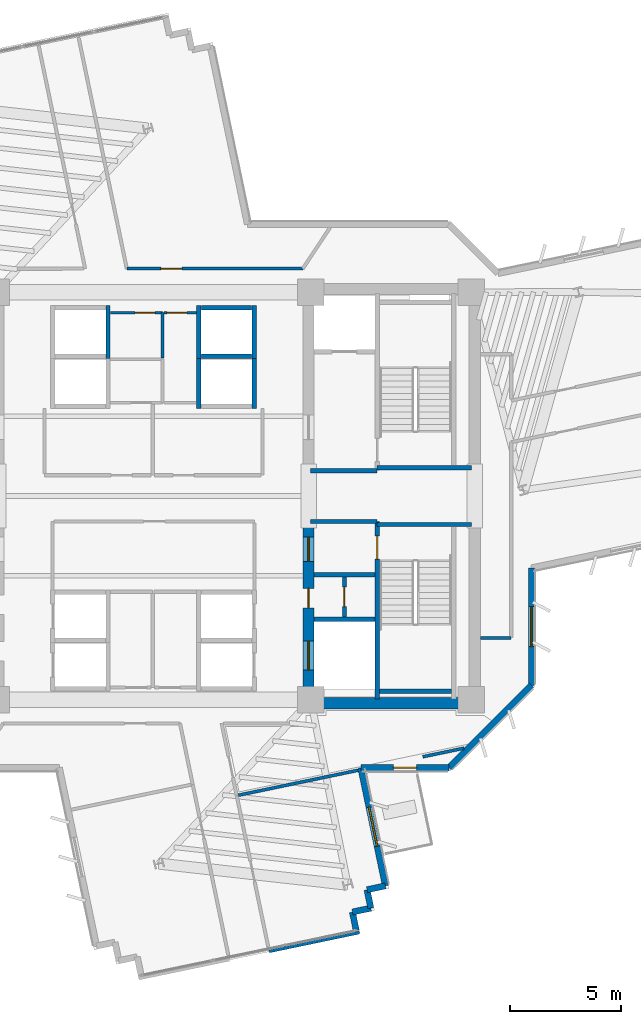
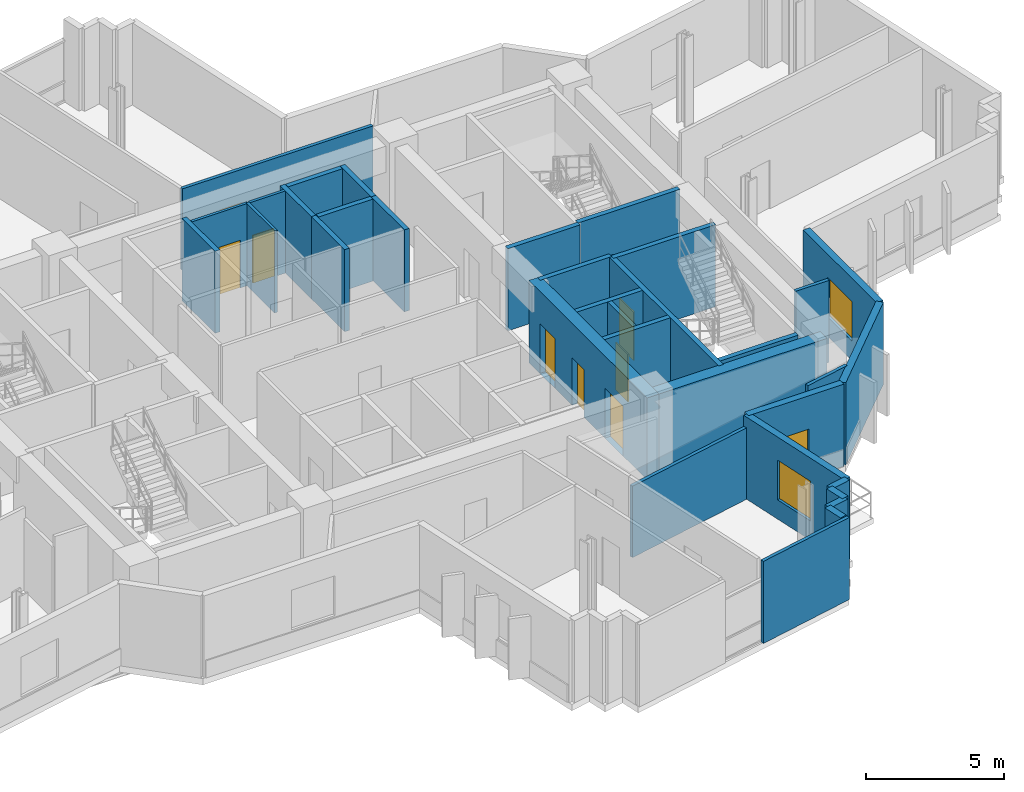
# One storey, part 9 of 14: 34 walls, 9 doors, 2 windows, 11 openings.
"""IFC4 building model written with IfcOpenShell, lengths in metres."""

from ifc_helpers import new_model, si_unit, direction, frame, frame_2d, origin, place, context, subcontext, project, spatial, rectangle, extrude, source, transform, mapped, material, layer, layer_set, type_object, element, fill, save


model = new_model("IFC4")

# Units and contexts
model_context = context("Model", 3, precision=1e-05, world=origin(), true_north=direction((0.0, 1.0)))
body_context = subcontext(model_context, "Body", "Model", "MODEL_VIEW")
ifc_project = project(units=[si_unit("LENGTHUNIT", "METRE"), si_unit("AREAUNIT", "SQUARE_METRE"), si_unit("VOLUMEUNIT", "CUBIC_METRE"), si_unit("PLANEANGLEUNIT", "RADIAN"), si_unit("MASSUNIT", "GRAM", prefix="KILO")], contexts=[model_context])

# Site, building, storey
site_placement = place(None, origin())
site = spatial("IfcSite", under=ifc_project, at=site_placement, CompositionType="ELEMENT")
building_placement = place(site_placement, origin())
building = spatial("IfcBuilding", under=site, at=building_placement, Name="Zahravan Cultural Tower", CompositionType="ELEMENT")
storey_placement = place(building_placement, frame((0.0, 0.0, 166.800048828125)))
storey = spatial("IfcBuildingStorey", under=building, at=storey_placement, Name="L38", CompositionType="ELEMENT", Elevation=166.800048828125)

# Wall, openings, doors
ifc_material_1 = material(Name="Concrete C60/75", Category="concrete")
ifc_layer_1 = layer(ifc_material_1, 0.5)
ifc_layer_set_1 = layer_set([ifc_layer_1], Name="Concrete C60/75")
wall_type_1 = type_object("IfcWallType", Name="CW-SHEAR-500-C60", PredefinedType="SHEAR", material=ifc_layer_set_1)
wall_1_placement = place(storey_placement, frame((43.0, 17.39990234375, 0.0), z_axis=(0.0, 0.0, 1.0), x_axis=(0.0, 1.0, 0.0)))
wall_1 = element("IfcWall", 1, at=wall_1_placement, inside=storey, type_object=wall_type_1, Name="L38 Core Shear Wall CW-E-WS-L38", PredefinedType="SHEAR", context=body_context, shape_type="SweptSolid", body=[
    extrude(rectangle(XDim=8.550048828125, YDim=0.5, at=frame_2d((4.27490234375, 0.0))), origin(), (0.0, 0.0, 1.0), 3.619873046875),
])
opening_1_placement = place(wall_1_placement, frame((6.64990234375, 0.0, 0.0)))
opening_1 = element("IfcOpeningElement", 2, at=opening_1_placement, cuts=wall_1, Name="Opening D-L38-08", PredefinedType="OPENING", context=body_context, shape_type="SweptSolid", body=[
    extrude(rectangle(XDim=1.10009765625, YDim=2.199951171875, at=frame_2d((0.550048828125, 1.10009765625))), frame((0.0, 0.260009765625, 0.0), z_axis=(0.0, -1.0, 0.0), x_axis=(1.0, 0.0, 0.0)), (0.0, 0.0, 1.0), 0.52001953125),
])
opening_2_placement = place(wall_1_placement, frame((1.75, 0.0, 0.0)))
opening_2 = element("IfcOpeningElement", 3, at=opening_2_placement, cuts=wall_1, Name="Opening LD-L38-03", PredefinedType="OPENING", context=body_context, shape_type="SweptSolid", body=[
    extrude(rectangle(XDim=1.300048828125, YDim=2.199951171875, at=frame_2d((0.64990234375, 1.10009765625))), frame((0.0, 0.260009765625, 0.0), z_axis=(0.0, -1.0, 0.0), x_axis=(1.0, 0.0, 0.0)), (0.0, 0.0, 1.0), 0.52001953125),
])
opening_3_placement = place(wall_1_placement, frame((4.550048828125, 0.0, 0.0)))
opening_3 = element("IfcOpeningElement", 4, at=opening_3_placement, cuts=wall_1, Name="Opening D-L38-11", PredefinedType="OPENING", context=body_context, shape_type="SweptSolid", body=[
    extrude(rectangle(XDim=0.8798828125, YDim=2.10009765625, at=frame_2d((0.43994140625, 1.050048828125))), frame((0.0, 0.260009765625, 0.0), z_axis=(0.0, -1.0, 0.0), x_axis=(1.0, 0.0, 0.0)), (0.0, 0.0, 1.0), 0.52001953125),
])
ifc_material_2 = material(Name="Steel ASTM A572 Grade 50", Category="steel")
door_type_1 = type_object("IfcDoorType", Name="DR-LOBBY-1100", OperationType="NOTDEFINED", PredefinedType="DOOR", material=ifc_material_2)
shared_shape_1 = source(origin(), body_context, "Body", "SweptSolid", [
    extrude(rectangle(XDim=1.10009765625, YDim=2.199951171875, at=frame_2d((0.550048828125, 1.10009765625))), frame((0.0, 0.02490234375, 0.0), z_axis=(0.0, -1.0, 0.0), x_axis=(1.0, 0.0, 0.0)), (0.0, 0.0, 1.0), 0.050048828125),
])
door_1_placement = place(opening_1_placement, origin())
door_1 = element("IfcDoor", 5, at=door_1_placement, inside=storey, type_object=door_type_1, Name="L38 Door D-L38-08", OperationType="SINGLE_SWING_LEFT", OverallHeight=2.199951171875, OverallWidth=1.10009765625, PredefinedType="DOOR", context=body_context, shape_type="MappedRepresentation", body=[
    mapped(shared_shape_1, transform((0.0, 0.0, 0.0), x_axis=(1.0, 0.0, 0.0), y_axis=(0.0, 1.0, 0.0), z_axis=(0.0, 0.0, 1.0), scale=1.0)),
])
fill(opening_1, door_1)
door_type_2 = type_object("IfcDoorType", Name="DR-LIFT-1300", OperationType="DOUBLE_DOOR_SLIDING", PredefinedType="DOOR", material=ifc_material_2)
shared_shape_2 = source(origin(), body_context, "Body", "SweptSolid", [
    extrude(rectangle(XDim=1.300048828125, YDim=2.199951171875, at=frame_2d((0.64990234375, 1.10009765625))), frame((0.0, 0.02490234375, 0.0), z_axis=(0.0, -1.0, 0.0), x_axis=(1.0, 0.0, 0.0)), (0.0, 0.0, 1.0), 0.050048828125),
])
door_2_placement = place(opening_2_placement, origin())
door_2 = element("IfcDoor", 6, at=door_2_placement, inside=storey, type_object=door_type_2, Name="L38 Door LD-L38-03", OperationType="DOUBLE_DOOR_SLIDING", OverallHeight=2.199951171875, OverallWidth=1.300048828125, PredefinedType="DOOR", context=body_context, shape_type="MappedRepresentation", body=[
    mapped(shared_shape_2, transform((0.0, 0.0, 0.0), x_axis=(1.0, 0.0, 0.0), y_axis=(0.0, 1.0, 0.0), z_axis=(0.0, 0.0, 1.0), scale=1.0)),
])
fill(opening_2, door_2)
door_type_3 = type_object("IfcDoorType", Name="DR-SVC-880", OperationType="NOTDEFINED", PredefinedType="DOOR", material=ifc_material_2)
shared_shape_3 = source(origin(), body_context, "Body", "SweptSolid", [
    extrude(rectangle(XDim=0.8798828125, YDim=2.10009765625, at=frame_2d((0.43994140625, 1.050048828125))), frame((0.0, 0.02490234375, 0.0), z_axis=(0.0, -1.0, 0.0), x_axis=(1.0, 0.0, 0.0)), (0.0, 0.0, 1.0), 0.050048828125),
])
door_3_placement = place(opening_3_placement, origin())
door_3 = element("IfcDoor", 7, at=door_3_placement, inside=storey, type_object=door_type_3, Name="L38 Door D-L38-11", OperationType="SINGLE_SWING_RIGHT", OverallHeight=2.10009765625, OverallWidth=0.8798828125, PredefinedType="DOOR", context=body_context, shape_type="MappedRepresentation", body=[
    mapped(shared_shape_3, transform((0.0, 0.0, 0.0), x_axis=(1.0, 0.0, 0.0), y_axis=(0.0, 1.0, 0.0), z_axis=(0.0, 0.0, 1.0), scale=1.0)),
])
fill(opening_3, door_3)

# Wall, opening, window
ifc_material_3 = material(Name="Precast concrete C40/50", Category="concrete")
ifc_layer_2 = layer(ifc_material_3, 0.280029296875)
ifc_layer_set_2 = layer_set([ifc_layer_2], Name="Precast concrete C40/50")
wall_type_2 = type_object("IfcWallType", Name="EW-TC-280", PredefinedType="SOLIDWALL", material=ifc_layer_set_2)
wall_2_placement = place(storey_placement, frame((53.06005859375, 23.75439453125, 0.0), z_axis=(0.0, 0.0, 1.0), x_axis=(0.0, -1.0, 0.0)))
wall_2 = element("IfcWall", 8, at=wall_2_placement, inside=storey, type_object=wall_type_2, Name="L38 Exterior Masonry Frame Wall 12", PredefinedType="SOLIDWALL", context=body_context, shape_type="SweptSolid", body=[
    extrude(rectangle(XDim=5.29638671875, YDim=0.280029296875, at=frame_2d((2.648193359375, 0.0))), origin(), (0.0, 0.0, 1.0), 3.619873046875),
])
opening_4_placement = place(wall_2_placement, frame((1.748046875, 0.0, 0.85009765625)))
opening_4 = element("IfcOpeningElement", 9, at=opening_4_placement, cuts=wall_2, Name="Opening WN-02", PredefinedType="OPENING", context=body_context, shape_type="SweptSolid", body=[
    extrude(rectangle(XDim=1.800048828125, YDim=1.75, at=frame_2d((0.89990234375, 0.875))), frame((0.0, 0.14990234375, 0.0), z_axis=(0.0, -1.0, 0.0), x_axis=(1.0, 0.0, 0.0)), (0.0, 0.0, 1.0), 0.300048828125),
])
ifc_material_4 = material(Name="Low-E solar-control double glazing", Category="glass")
window_type = type_object("IfcWindowType", Name="WN-REC-1800X1750", PartitioningType="DOUBLE_PANEL_VERTICAL", PredefinedType="WINDOW", material=ifc_material_4)
shared_shape_4 = source(origin(), body_context, "Body", "SweptSolid", [
    extrude(rectangle(XDim=1.800048828125, YDim=1.75, at=frame_2d((0.89990234375, 0.875))), frame((0.0, 0.030029296875, 0.0), z_axis=(0.0, -1.0, 0.0), x_axis=(1.0, 0.0, 0.0)), (0.0, 0.0, 1.0), 0.06005859375),
])
window_1_placement = place(opening_4_placement, origin())
window_1 = element("IfcWindow", 10, at=window_1_placement, inside=storey, type_object=window_type, Name="L38 Recessed Solar Window 03", OverallHeight=1.75, OverallWidth=1.800048828125, PartitioningType="DOUBLE_PANEL_VERTICAL", PredefinedType="WINDOW", context=body_context, shape_type="MappedRepresentation", body=[
    mapped(shared_shape_4, transform((0.0, 0.0, 0.0), x_axis=(1.0, 0.0, 0.0), y_axis=(0.0, 1.0, 0.0), z_axis=(0.0, 0.0, 1.0), scale=1.0)),
])
fill(opening_4, window_1)

# Wall, opening, door
wall_3_placement = place(storey_placement, frame((49.342041015625, 14.739990234375, 0.0), z_axis=(0.0, 0.0, 1.0), x_axis=(-1.0, 0.0, 0.0)))
wall_3 = element("IfcWall", 11, at=wall_3_placement, inside=storey, type_object=wall_type_2, Name="L38 Exterior Masonry Frame Wall 14", PredefinedType="SOLIDWALL", context=body_context, shape_type="SweptSolid", body=[
    extrude(rectangle(XDim=3.98193359375, YDim=0.280029296875, at=frame_2d((1.990966796875, 0.0))), origin(), (0.0, 0.0, 1.0), 3.619873046875),
])
opening_5_placement = place(wall_3_placement, frame((1.466064453125, 0.0, 0.0)))
opening_5 = element("IfcOpeningElement", 12, at=opening_5_placement, cuts=wall_3, Name="Opening D-L38-TR-SE", PredefinedType="OPENING", context=body_context, shape_type="SweptSolid", body=[
    extrude(rectangle(XDim=1.050048828125, YDim=2.14990234375, at=frame_2d((0.52490234375, 1.074951171875))), frame((0.0, 0.14990234375, 0.0), z_axis=(0.0, -1.0, 0.0), x_axis=(1.0, 0.0, 0.0)), (0.0, 0.0, 1.0), 0.300048828125),
])
ifc_material_5 = material(Name="Anodised bronze-aluminium mullion", Category="aluminium")
door_type_4 = type_object("IfcDoorType", Name="DR-TERR-1050", OperationType="NOTDEFINED", PredefinedType="DOOR", material=ifc_material_5)
shared_shape_5 = source(origin(), body_context, "Body", "SweptSolid", [
    extrude(rectangle(XDim=1.050048828125, YDim=2.14990234375, at=frame_2d((0.52490234375, 1.074951171875))), frame((0.0, 0.02490234375, 0.0), z_axis=(0.0, -1.0, 0.0), x_axis=(1.0, 0.0, 0.0)), (0.0, 0.0, 1.0), 0.050048828125),
])
door_4_placement = place(opening_5_placement, origin())
door_4 = element("IfcDoor", 13, at=door_4_placement, inside=storey, type_object=door_type_4, Name="L38 Terrace Access Door SE", OperationType="SINGLE_SWING_LEFT", OverallHeight=2.14990234375, OverallWidth=1.050048828125, PredefinedType="DOOR", context=body_context, shape_type="MappedRepresentation", body=[
    mapped(shared_shape_5, transform((0.0, 0.0, 0.0), x_axis=(1.0, 0.0, 0.0), y_axis=(0.0, 1.0, 0.0), z_axis=(0.0, 0.0, 1.0), scale=1.0)),
])
fill(opening_5, door_4)

# Wall, opening, window
wall_4_placement = place(storey_placement, frame((45.360107421875, 14.739990234375, 0.0), z_axis=(0.0, 0.0, 1.0), x_axis=(0.204151126022, -0.978939384101, 0.0)))
wall_4 = element("IfcWall", 14, at=wall_4_placement, inside=storey, type_object=wall_type_2, Name="L38 Exterior Masonry Frame Wall 15", PredefinedType="SOLIDWALL", context=body_context, shape_type="SweptSolid", body=[
    extrude(rectangle(XDim=5.447265625, YDim=0.280029296875, at=frame_2d((2.7236328125, 0.0))), origin(), (0.0, 0.0, 1.0), 3.619873046875),
])
opening_6_placement = place(wall_4_placement, frame((1.823974609375, 0.0, 0.85009765625)))
opening_6 = element("IfcOpeningElement", 15, at=opening_6_placement, cuts=wall_4, Name="Opening WN-02", PredefinedType="OPENING", context=body_context, shape_type="SweptSolid", body=[
    extrude(rectangle(XDim=1.800048828125, YDim=1.75, at=frame_2d((0.89990234375, 0.875))), frame((0.0, 0.14990234375, 0.0), z_axis=(0.0, -1.0, 0.0), x_axis=(1.0, 0.0, 0.0)), (0.0, 0.0, 1.0), 0.300048828125),
])
window_2_placement = place(opening_6_placement, origin())
window_2 = element("IfcWindow", 16, at=window_2_placement, inside=storey, type_object=window_type, Name="L38 Recessed Solar Window 04", OverallHeight=1.75, OverallWidth=1.800048828125, PartitioningType="DOUBLE_PANEL_VERTICAL", PredefinedType="WINDOW", context=body_context, shape_type="MappedRepresentation", body=[
    mapped(shared_shape_4, transform((0.0, 0.0, 0.0), x_axis=(1.0, 0.0, 0.0), y_axis=(0.0, 1.0, 0.0), z_axis=(0.0, 0.0, 1.0), scale=1.0)),
])
fill(opening_6, window_2)

# Wall, opening, door
ifc_material_6 = material(Name="Gypsum plasterboard partition")
ifc_layer_3 = layer(ifc_material_6, 0.179931640625)
ifc_layer_set_3 = layer_set([ifc_layer_3], Name="Gypsum plasterboard partition")
wall_type_3 = type_object("IfcWallType", Name="W-COMP-180", PredefinedType="PARTITIONING", material=ifc_layer_set_3)
wall_5_placement = place(storey_placement, frame((44.6201171875, 21.550048828125, 0.0), z_axis=(0.0, 0.0, 1.0), x_axis=(0.0, 1.0, 0.0)))
wall_5 = element("IfcWall", 17, at=wall_5_placement, inside=storey, type_object=wall_type_3, Name="L38 Interior Wall 027", PredefinedType="PARTITIONING", context=body_context, shape_type="SweptSolid", body=[
    extrude(rectangle(XDim=1.800048828125, YDim=0.179931640625, at=frame_2d((0.89990234375, 0.0))), origin(), (0.0, 0.0, 1.0), 3.619873046875),
])
opening_7_placement = place(wall_5_placement, frame((0.4599609375, 0.0, 0.0)))
opening_7 = element("IfcOpeningElement", 18, at=opening_7_placement, cuts=wall_5, Name="Opening D-L38-12", PredefinedType="OPENING", context=body_context, shape_type="SweptSolid", body=[
    extrude(rectangle(XDim=0.8798828125, YDim=2.10009765625, at=frame_2d((0.43994140625, 1.050048828125))), frame((0.0, 0.099853515625, 0.0), z_axis=(0.0, -1.0, 0.0), x_axis=(1.0, 0.0, 0.0)), (0.0, 0.0, 1.0), 0.199951171875),
])
door_5_placement = place(opening_7_placement, origin())
door_5 = element("IfcDoor", 19, at=door_5_placement, inside=storey, type_object=door_type_3, Name="L38 Door D-L38-12", OperationType="SINGLE_SWING_LEFT", OverallHeight=2.10009765625, OverallWidth=0.8798828125, PredefinedType="DOOR", context=body_context, shape_type="MappedRepresentation", body=[
    mapped(shared_shape_3, transform((0.0, 0.0, 0.0), x_axis=(1.0, 0.0, 0.0), y_axis=(0.0, 1.0, 0.0), z_axis=(0.0, 0.0, 1.0), scale=1.0)),
])
fill(opening_7, door_5)

ifc_layer_4 = layer(ifc_material_6, 0.139892578125)
ifc_layer_set_4 = layer_set([ifc_layer_4], Name="Gypsum plasterboard partition")
wall_type_4 = type_object("IfcWallType", Name="W-PART-140", PredefinedType="PARTITIONING", material=ifc_layer_set_4)
wall_6_placement = place(storey_placement, frame((42.7421875, 37.260009765625, 0.0), z_axis=(0.0, 0.0, 1.0), x_axis=(-1.0, 0.0, 0.0)))
wall_6 = element("IfcWall", 20, at=wall_6_placement, inside=storey, type_object=wall_type_4, Name="L38 Interior Wall 088", PredefinedType="PARTITIONING", context=body_context, shape_type="SweptSolid", body=[
    extrude(rectangle(XDim=7.942138671875, YDim=0.139892578125, at=frame_2d((3.97119140625, 0.0))), origin(), (0.0, 0.0, 1.0), 3.619873046875),
])
opening_8_placement = place(wall_6_placement, frame((5.453857421875, 0.0, 0.0)))
opening_8 = element("IfcOpeningElement", 21, at=opening_8_placement, cuts=wall_6, Name="Opening D-L38-22", PredefinedType="OPENING", context=body_context, shape_type="SweptSolid", body=[
    extrude(rectangle(XDim=0.949951171875, YDim=2.14990234375, at=frame_2d((0.47509765625, 1.074951171875))), frame((0.0, 0.079833984375, 0.0), z_axis=(0.0, -1.0, 0.0), x_axis=(1.0, 0.0, 0.0)), (0.0, 0.0, 1.0), 0.159912109375),
])
door_type_5 = type_object("IfcDoorType", Name="DR-ROOM-950", OperationType="NOTDEFINED", PredefinedType="DOOR", material=ifc_material_5)
shared_shape_6 = source(origin(), body_context, "Body", "SweptSolid", [
    extrude(rectangle(XDim=0.949951171875, YDim=2.14990234375, at=frame_2d((0.47509765625, 1.074951171875))), frame((0.0, 0.02490234375, 0.0), z_axis=(0.0, -1.0, 0.0), x_axis=(1.0, 0.0, 0.0)), (0.0, 0.0, 1.0), 0.050048828125),
])
door_6_placement = place(opening_8_placement, origin())
door_6 = element("IfcDoor", 22, at=door_6_placement, inside=storey, type_object=door_type_5, Name="L38 Door D-L38-22", OperationType="SINGLE_SWING_LEFT", OverallHeight=2.14990234375, OverallWidth=0.949951171875, PredefinedType="DOOR", context=body_context, shape_type="MappedRepresentation", body=[
    mapped(shared_shape_6, transform((0.0, 0.0, 0.0), x_axis=(1.0, 0.0, 0.0), y_axis=(0.0, 1.0, 0.0), z_axis=(0.0, 0.0, 1.0), scale=1.0)),
])
fill(opening_8, door_6)

ifc_material_7 = material(Name="Concrete C45/55", Category="concrete")
ifc_layer_5 = layer(ifc_material_7, 0.199951171875)
ifc_layer_set_5 = layer_set([ifc_layer_5], Name="Concrete C45/55")
wall_type_5 = type_object("IfcWallType", Name="W-SHAFT-200", PredefinedType="SOLIDWALL", material=ifc_layer_set_5)
wall_7_placement = place(storey_placement, frame((46.10009765625, 17.85009765625, 0.0), z_axis=(0.0, 0.0, 1.0), x_axis=(0.0, 1.0, 0.0)))
wall_7 = element("IfcWall", 23, at=wall_7_placement, inside=storey, type_object=wall_type_5, Name="L38 Interior Wall 007", PredefinedType="SOLIDWALL", context=body_context, shape_type="SweptSolid", body=[
    extrude(rectangle(XDim=8.0, YDim=0.199951171875, at=frame_2d((4.0, 0.0))), origin(), (0.0, 0.0, 1.0), 3.619873046875),
])
opening_9_placement = place(wall_7_placement, frame((6.300048828125, 0.0, 0.0)))
opening_9 = element("IfcOpeningElement", 24, at=opening_9_placement, cuts=wall_7, Name="Opening D-L38-03", PredefinedType="OPENING", context=body_context, shape_type="SweptSolid", body=[
    extrude(rectangle(XDim=1.050048828125, YDim=2.14990234375, at=frame_2d((0.52490234375, 1.074951171875))), frame((0.0, 0.10986328125, 0.0), z_axis=(0.0, -1.0, 0.0), x_axis=(1.0, 0.0, 0.0)), (0.0, 0.0, 1.0), 0.219970703125),
])
door_type_6 = type_object("IfcDoorType", Name="DR-STAIR-1050", OperationType="NOTDEFINED", PredefinedType="DOOR", material=ifc_material_2)
door_7_placement = place(opening_9_placement, origin())
door_7 = element("IfcDoor", 25, at=door_7_placement, inside=storey, type_object=door_type_6, Name="L38 Door D-L38-03", OperationType="SINGLE_SWING_RIGHT", OverallHeight=2.14990234375, OverallWidth=1.050048828125, PredefinedType="DOOR", context=body_context, shape_type="MappedRepresentation", body=[
    mapped(shared_shape_5, transform((0.0, 0.0, 0.0), x_axis=(1.0, 0.0, 0.0), y_axis=(0.0, 1.0, 0.0), z_axis=(0.0, 0.0, 1.0), scale=1.0)),
])
fill(opening_9, door_7)

ifc_layer_6 = layer(ifc_material_6, 0.114990234375)
ifc_layer_set_6 = layer_set([ifc_layer_6], Name="Gypsum plasterboard partition")
wall_type_6 = type_object("IfcWallType", Name="W-WC-115", PredefinedType="PARTITIONING", material=ifc_layer_set_6)
wall_8_placement = place(storey_placement, frame((34.054931640625, 35.280029296875, 0.0), z_axis=(0.0, 0.0, 1.0), x_axis=(1.0, 0.0, 0.0)))
wall_8 = element("IfcWall", 26, at=wall_8_placement, inside=storey, type_object=wall_type_6, Name="L38 Interior Wall 059", PredefinedType="PARTITIONING", context=body_context, shape_type="SweptSolid", body=[
    extrude(rectangle(XDim=2.35498046875, YDim=0.114990234375, at=frame_2d((1.177490234375, 0.0))), origin(), (0.0, 0.0, 1.0), 3.619873046875),
])
opening_10_placement = place(wall_8_placement, frame((1.120849609375, 0.0, 0.0)))
opening_10 = element("IfcOpeningElement", 27, at=opening_10_placement, cuts=wall_8, Name="Opening D-L38-14", PredefinedType="OPENING", context=body_context, shape_type="SweptSolid", body=[
    extrude(rectangle(XDim=0.89990234375, YDim=2.10009765625, at=frame_2d((0.449951171875, 1.050048828125))), frame((0.0, 0.0673828125, 0.0), z_axis=(0.0, -1.0, 0.0), x_axis=(1.0, 0.0, 0.0)), (0.0, 0.0, 1.0), 0.135009765625),
])
door_type_7 = type_object("IfcDoorType", Name="DR-WC-900", OperationType="NOTDEFINED", PredefinedType="DOOR", material=ifc_material_5)
shared_shape_7 = source(origin(), body_context, "Body", "SweptSolid", [
    extrude(rectangle(XDim=0.89990234375, YDim=2.10009765625, at=frame_2d((0.449951171875, 1.050048828125))), frame((0.0, 0.02490234375, 0.0), z_axis=(0.0, -1.0, 0.0), x_axis=(1.0, 0.0, 0.0)), (0.0, 0.0, 1.0), 0.050048828125),
])
door_8_placement = place(opening_10_placement, origin())
door_8 = element("IfcDoor", 28, at=door_8_placement, inside=storey, type_object=door_type_7, Name="L38 Door D-L38-14", OperationType="SINGLE_SWING_LEFT", OverallHeight=2.10009765625, OverallWidth=0.89990234375, PredefinedType="DOOR", context=body_context, shape_type="MappedRepresentation", body=[
    mapped(shared_shape_7, transform((0.0, 0.0, 0.0), x_axis=(1.0, 0.0, 0.0), y_axis=(0.0, 1.0, 0.0), z_axis=(0.0, 0.0, 1.0), scale=1.0)),
])
fill(opening_10, door_8)

wall_9_placement = place(storey_placement, frame((36.472412109375, 35.280029296875, 0.0), z_axis=(0.0, 0.0, 1.0), x_axis=(1.0, 0.0, 0.0)))
wall_9 = element("IfcWall", 29, at=wall_9_placement, inside=storey, type_object=wall_type_6, Name="L38 Interior Wall 062", PredefinedType="PARTITIONING", context=body_context, shape_type="SweptSolid", body=[
    extrude(rectangle(XDim=1.47265625, YDim=0.114990234375, at=frame_2d((0.736328125, 0.0))), origin(), (0.0, 0.0, 1.0), 3.619873046875),
])
opening_11_placement = place(wall_9_placement, frame((0.139892578125, 0.0, 0.0)))
opening_11 = element("IfcOpeningElement", 30, at=opening_11_placement, cuts=wall_9, Name="Opening D-L38-15", PredefinedType="OPENING", context=body_context, shape_type="SweptSolid", body=[
    extrude(rectangle(XDim=0.89990234375, YDim=2.10009765625, at=frame_2d((0.449951171875, 1.050048828125))), frame((0.0, 0.0673828125, 0.0), z_axis=(0.0, -1.0, 0.0), x_axis=(1.0, 0.0, 0.0)), (0.0, 0.0, 1.0), 0.135009765625),
])
door_9_placement = place(opening_11_placement, origin())
door_9 = element("IfcDoor", 31, at=door_9_placement, inside=storey, type_object=door_type_7, Name="L38 Door D-L38-15", OperationType="SINGLE_SWING_RIGHT", OverallHeight=2.10009765625, OverallWidth=0.89990234375, PredefinedType="DOOR", context=body_context, shape_type="MappedRepresentation", body=[
    mapped(shared_shape_7, transform((0.0, 0.0, 0.0), x_axis=(1.0, 0.0, 0.0), y_axis=(0.0, 1.0, 0.0), z_axis=(0.0, 0.0, 1.0), scale=1.0)),
])
fill(opening_11, door_9)

# Walls
shared_shape_8 = source(origin(), body_context, "Body", "SweptSolid", [
    extrude(rectangle(XDim=7.0, YDim=0.5, at=frame_2d((3.5, 0.0))), origin(), (0.0, 0.0, 1.0), 3.619873046875),
])
wall_10_placement = place(storey_placement, frame((43.25, 17.64990234375, 0.0), z_axis=(0.0, 0.0, 1.0), x_axis=(1.0, 0.0, 0.0)))
element("IfcWall", 32, at=wall_10_placement, inside=storey, type_object=wall_type_1, Name="L38 Core Shear Wall CW-E-S-L38", PredefinedType="SHEAR", context=body_context, shape_type="MappedRepresentation", body=[
    mapped(shared_shape_8, transform((0.0, 0.0, 0.0), x_axis=(1.0, 0.0, 0.0), y_axis=(0.0, 1.0, 0.0), z_axis=(0.0, 0.0, 1.0), scale=1.0)),
])
shared_shape_9 = source(origin(), body_context, "Body", "SweptSolid", [
    extrude(rectangle(XDim=0.85009765625, YDim=0.280029296875, at=frame_2d((0.425048828125, 0.0))), origin(), (0.0, 0.0, 1.0), 3.619873046875),
])
wall_11_placement = place(storey_placement, frame((45.813720703125, 8.40185546875, 0.0), z_axis=(0.0, 0.0, 1.0), x_axis=(-0.97893500384, -0.204172128991, 0.0)))
element("IfcWall", 33, at=wall_11_placement, inside=storey, type_object=wall_type_2, Name="L38 Exterior Masonry Frame Wall 18", PredefinedType="SOLIDWALL", context=body_context, shape_type="MappedRepresentation", body=[
    mapped(shared_shape_9, transform((0.0, 0.0, 0.0), x_axis=(1.0, 0.0, 0.0), y_axis=(0.0, 1.0, 0.0), z_axis=(0.0, 0.0, 1.0), scale=1.0)),
])
shared_shape_10 = source(origin(), body_context, "Body", "SweptSolid", [
    extrude(rectangle(XDim=5.258056640625, YDim=0.280029296875, at=frame_2d((2.62890625, 0.0))), origin(), (0.0, 0.0, 1.0), 3.619873046875),
])
wall_12_placement = place(storey_placement, frame((53.06005859375, 18.4580078125, 0.0), z_axis=(0.0, 0.0, 1.0), x_axis=(-0.707106781187, -0.707106781187, 0.0)))
element("IfcWall", 34, at=wall_12_placement, inside=storey, type_object=wall_type_2, Name="L38 Exterior Masonry Frame Wall 13", PredefinedType="SOLIDWALL", context=body_context, shape_type="MappedRepresentation", body=[
    mapped(shared_shape_10, transform((0.0, 0.0, 0.0), x_axis=(1.0, 0.0, 0.0), y_axis=(0.0, 1.0, 0.0), z_axis=(0.0, 0.0, 1.0), scale=1.0)),
])
shared_shape_11 = source(origin(), body_context, "Body", "SweptSolid", [
    extrude(rectangle(XDim=0.849853515625, YDim=0.280029296875, at=frame_2d((0.4248046875, 0.0))), origin(), (0.0, 0.0, 1.0), 3.619873046875),
])
for number, where, z_axis, x_axis, name in (
    (35, (46.47216796875, 9.407470703125, 0.0), (0.0, 0.0, 1.0), (-0.978923028084, -0.20422954019, 0.0), "L38 Exterior Masonry Frame Wall 16"),
    (36, (45.64013671875, 9.23388671875, 0.0), (0.0, 0.0, 1.0), (0.20422954019, -0.978923028084, 0.0), "L38 Exterior Masonry Frame Wall 17"),
    (37, (44.9814453125, 8.228271484375, 0.0), (0.0, 0.0, 1.0), (0.20422954019, -0.978923028084, 0.0), "L38 Exterior Masonry Frame Wall 19"),
):
    element("IfcWall", number, at=place(storey_placement, frame(where, z_axis=z_axis, x_axis=x_axis)), inside=storey, type_object=wall_type_2, Name=name, PredefinedType="SOLIDWALL", context=body_context, shape_type="MappedRepresentation", body=[
        mapped(shared_shape_11, transform((0.0, 0.0, 0.0), x_axis=(1.0, 0.0, 0.0), y_axis=(0.0, 1.0, 0.0), z_axis=(0.0, 0.0, 1.0), scale=1.0)),
    ])
shared_shape_12 = source(origin(), body_context, "Body", "SweptSolid", [
    extrude(rectangle(XDim=4.25, YDim=0.199951171875, at=frame_2d((2.125, 0.0))), origin(), (0.0, 0.0, 1.0), 3.619873046875),
])
for number, where, z_axis, x_axis, name in (
    (38, (46.10009765625, 25.715087890625, 0.0), (0.0, 0.0, 1.0), (1.0, 0.0, 0.0), "L38 Interior Wall 014"),
    (39, (46.10009765625, 28.284912109375, 0.0), (0.0, 0.0, 1.0), (1.0, 0.0, 0.0), "L38 Interior Wall 016"),
):
    element("IfcWall", number, at=place(storey_placement, frame(where, z_axis=z_axis, x_axis=x_axis)), inside=storey, type_object=wall_type_5, Name=name, PredefinedType="SOLIDWALL", context=body_context, shape_type="MappedRepresentation", body=[
        mapped(shared_shape_12, transform((0.0, 0.0, 0.0), x_axis=(1.0, 0.0, 0.0), y_axis=(0.0, 1.0, 0.0), z_axis=(0.0, 0.0, 1.0), scale=1.0)),
    ])
shared_shape_13 = source(origin(), body_context, "Body", "SweptSolid", [
    extrude(rectangle(XDim=3.0, YDim=0.199951171875, at=frame_2d((1.5, 0.0))), origin(), (0.0, 0.0, 1.0), 3.619873046875),
])
for number, where, z_axis, x_axis, name in (
    (40, (43.10009765625, 25.85009765625, 0.0), (0.0, 0.0, 1.0), (1.0, 0.0, 0.0), "L38 Interior Wall 013"),
    (41, (43.10009765625, 28.14990234375, 0.0), (0.0, 0.0, 1.0), (1.0, 0.0, 0.0), "L38 Interior Wall 015"),
):
    element("IfcWall", number, at=place(storey_placement, frame(where, z_axis=z_axis, x_axis=x_axis)), inside=storey, type_object=wall_type_5, Name=name, PredefinedType="SOLIDWALL", context=body_context, shape_type="MappedRepresentation", body=[
        mapped(shared_shape_13, transform((0.0, 0.0, 0.0), x_axis=(1.0, 0.0, 0.0), y_axis=(0.0, 1.0, 0.0), z_axis=(0.0, 0.0, 1.0), scale=1.0)),
    ])
shared_shape_14 = source(origin(), body_context, "Body", "SweptSolid", [
    extrude(rectangle(XDim=3.25, YDim=0.199951171875, at=frame_2d((1.625, 0.0))), origin(), (0.0, 0.0, 1.0), 3.619873046875),
])
wall_13_placement = place(storey_placement, frame((46.199951171875, 18.199951171875, 0.0), z_axis=(0.0, 0.0, 1.0), x_axis=(1.0, 0.0, 0.0)))
element("IfcWall", 42, at=wall_13_placement, inside=storey, type_object=wall_type_5, Name="L38 Interior Wall 020", PredefinedType="SOLIDWALL", context=body_context, shape_type="MappedRepresentation", body=[
    mapped(shared_shape_14, transform((0.0, 0.0, 0.0), x_axis=(1.0, 0.0, 0.0), y_axis=(0.0, 1.0, 0.0), z_axis=(0.0, 0.0, 1.0), scale=1.0)),
])
shared_shape_15 = source(origin(), body_context, "Body", "SweptSolid", [
    extrude(rectangle(XDim=2.75, YDim=0.199951171875, at=frame_2d((1.375, 0.0))), origin(), (0.0, 0.0, 1.0), 3.619873046875),
])
for number, where, z_axis, x_axis, name in (
    (43, (43.25, 23.449951171875, 0.0), (0.0, 0.0, 1.0), (1.0, 0.0, 0.0), "L38 Interior Wall 024"),
    (44, (43.25, 21.449951171875, 0.0), (0.0, 0.0, 1.0), (1.0, 0.0, 0.0), "L38 Interior Wall 025"),
):
    element("IfcWall", number, at=place(storey_placement, frame(where, z_axis=z_axis, x_axis=x_axis)), inside=storey, type_object=wall_type_5, Name=name, PredefinedType="SOLIDWALL", context=body_context, shape_type="MappedRepresentation", body=[
        mapped(shared_shape_15, transform((0.0, 0.0, 0.0), x_axis=(1.0, 0.0, 0.0), y_axis=(0.0, 1.0, 0.0), z_axis=(0.0, 0.0, 1.0), scale=1.0)),
    ])
shared_shape_16 = source(origin(), body_context, "Body", "SweptSolid", [
    extrude(rectangle(XDim=2.400146484375, YDim=0.199951171875, at=frame_2d((1.2001953125, 0.0))), origin(), (0.0, 0.0, 1.0), 3.619873046875),
])
for number, where, z_axis, x_axis, name in (
    (45, (33.949951171875, 33.199951171875, 0.0), (0.0, 0.0, 1.0), (0.0, 1.0, 0.0), "L38 Interior Wall 029"),
    (46, (38.050048828125, 33.199951171875, 0.0), (0.0, 0.0, 1.0), (0.0, 1.0, 0.0), "L38 Interior Wall 035"),
    (47, (40.550048828125, 33.199951171875, 0.0), (0.0, 0.0, 1.0), (0.0, 1.0, 0.0), "L38 Interior Wall 036"),
    (48, (38.050048828125, 30.949951171875, 0.0), (0.0, 0.0, 1.0), (0.0, 1.0, 0.0), "L38 Interior Wall 039"),
    (49, (40.550048828125, 30.949951171875, 0.0), (0.0, 0.0, 1.0), (0.0, 1.0, 0.0), "L38 Interior Wall 040"),
):
    element("IfcWall", number, at=place(storey_placement, frame(where, z_axis=z_axis, x_axis=x_axis)), inside=storey, type_object=wall_type_5, Name=name, PredefinedType="SOLIDWALL", context=body_context, shape_type="MappedRepresentation", body=[
        mapped(shared_shape_16, transform((0.0, 0.0, 0.0), x_axis=(1.0, 0.0, 0.0), y_axis=(0.0, 1.0, 0.0), z_axis=(0.0, 0.0, 1.0), scale=1.0)),
    ])
shared_shape_17 = source(origin(), body_context, "Body", "SweptSolid", [
    extrude(rectangle(XDim=2.260009765625, YDim=0.199951171875, at=frame_2d((1.1298828125, 0.0))), origin(), (0.0, 0.0, 1.0), 3.619873046875),
])
for number, where, z_axis, x_axis, name in (
    (50, (38.169921875, 33.300048828125, 0.0), (0.0, 0.0, 1.0), (1.0, 0.0, 0.0), "L38 Interior Wall 037"),
    (51, (38.169921875, 35.5, 0.0), (0.0, 0.0, 1.0), (1.0, 0.0, 0.0), "L38 Interior Wall 038"),
):
    element("IfcWall", number, at=place(storey_placement, frame(where, z_axis=z_axis, x_axis=x_axis)), inside=storey, type_object=wall_type_5, Name=name, PredefinedType="SOLIDWALL", context=body_context, shape_type="MappedRepresentation", body=[
        mapped(shared_shape_17, transform((0.0, 0.0, 0.0), x_axis=(1.0, 0.0, 0.0), y_axis=(0.0, 1.0, 0.0), z_axis=(0.0, 0.0, 1.0), scale=1.0)),
    ])
shared_shape_18 = source(origin(), body_context, "Body", "SweptSolid", [
    extrude(rectangle(XDim=2.0400390625, YDim=0.114990234375, at=frame_2d((1.02001953125, 0.0))), origin(), (0.0, 0.0, 1.0), 3.619873046875),
])
wall_14_placement = place(storey_placement, frame((36.409912109375, 35.280029296875, 0.0), z_axis=(0.0, 0.0, 1.0), x_axis=(0.0, -1.0, 0.0)))
element("IfcWall", 52, at=wall_14_placement, inside=storey, type_object=wall_type_6, Name="L38 Interior Wall 060", PredefinedType="PARTITIONING", context=body_context, shape_type="MappedRepresentation", body=[
    mapped(shared_shape_18, transform((0.0, 0.0, 0.0), x_axis=(1.0, 0.0, 0.0), y_axis=(0.0, 1.0, 0.0), z_axis=(0.0, 0.0, 1.0), scale=1.0)),
])
shared_shape_19 = source(origin(), body_context, "Body", "SweptSolid", [
    extrude(rectangle(XDim=4.16015625, YDim=0.139892578125, at=frame_2d((2.080078125, 0.0))), origin(), (0.0, 0.0, 1.0), 3.619873046875),
])
wall_15_placement = place(storey_placement, frame((45.297119140625, 7.30322265625, 0.0), z_axis=(0.0, 0.0, 1.0), x_axis=(-0.978935967244, -0.204167509744, 0.0)))
element("IfcWall", 53, at=wall_15_placement, inside=storey, type_object=wall_type_4, Name="L38 Interior Wall 084", PredefinedType="PARTITIONING", context=body_context, shape_type="MappedRepresentation", body=[
    mapped(shared_shape_19, transform((0.0, 0.0, 0.0), x_axis=(1.0, 0.0, 0.0), y_axis=(0.0, 1.0, 0.0), z_axis=(0.0, 0.0, 1.0), scale=1.0)),
])
shared_shape_20 = source(origin(), body_context, "Body", "SweptSolid", [
    extrude(rectangle(XDim=1.38916015625, YDim=0.139892578125, at=frame_2d((0.694580078125, 0.0))), origin(), (0.0, 0.0, 1.0), 3.619873046875),
])
wall_16_placement = place(storey_placement, frame((50.7548828125, 20.60009765625, 0.0), z_axis=(0.0, 0.0, 1.0), x_axis=(1.0, 0.0, 0.0)))
element("IfcWall", 54, at=wall_16_placement, inside=storey, type_object=wall_type_4, Name="L38 Interior Wall 093", PredefinedType="PARTITIONING", context=body_context, shape_type="MappedRepresentation", body=[
    mapped(shared_shape_20, transform((0.0, 0.0, 0.0), x_axis=(1.0, 0.0, 0.0), y_axis=(0.0, 1.0, 0.0), z_axis=(0.0, 0.0, 1.0), scale=1.0)),
])
shared_shape_21 = source(origin(), body_context, "Body", "SweptSolid", [
    extrude(rectangle(XDim=1.9033203125, YDim=0.139892578125, at=frame_2d((0.95166015625, 0.0))), origin(), (0.0, 0.0, 1.0), 3.619873046875),
])
wall_17_placement = place(storey_placement, frame((50.019287109375, 15.62255859375, 0.0), z_axis=(0.0, 0.0, 1.0), x_axis=(-0.978929167673, -0.204200109399, 0.0)))
element("IfcWall", 55, at=wall_17_placement, inside=storey, type_object=wall_type_4, Name="L38 Interior Wall 082", PredefinedType="PARTITIONING", context=body_context, shape_type="MappedRepresentation", body=[
    mapped(shared_shape_21, transform((0.0, 0.0, 0.0), x_axis=(1.0, 0.0, 0.0), y_axis=(0.0, 1.0, 0.0), z_axis=(0.0, 0.0, 1.0), scale=1.0)),
])
shared_shape_22 = source(origin(), body_context, "Body", "SweptSolid", [
    extrude(rectangle(XDim=5.52001953125, YDim=0.139892578125, at=frame_2d((2.760009765625, 0.0))), origin(), (0.0, 0.0, 1.0), 3.14892578125),
])
wall_18_placement = place(storey_placement, frame((45.236083984375, 14.625, 0.0), z_axis=(0.0, 0.0, 1.0), x_axis=(-0.97893845252, -0.204155593062, 0.0)))
element("IfcWall", 56, at=wall_18_placement, inside=storey, type_object=wall_type_4, Name="L38 Interior Wall 083", PredefinedType="PARTITIONING", context=body_context, shape_type="MappedRepresentation", body=[
    mapped(shared_shape_22, transform((0.0, 0.0, 0.0), x_axis=(1.0, 0.0, 0.0), y_axis=(0.0, 1.0, 0.0), z_axis=(0.0, 0.0, 1.0), scale=1.0)),
])

save(model, "model.ifc")
